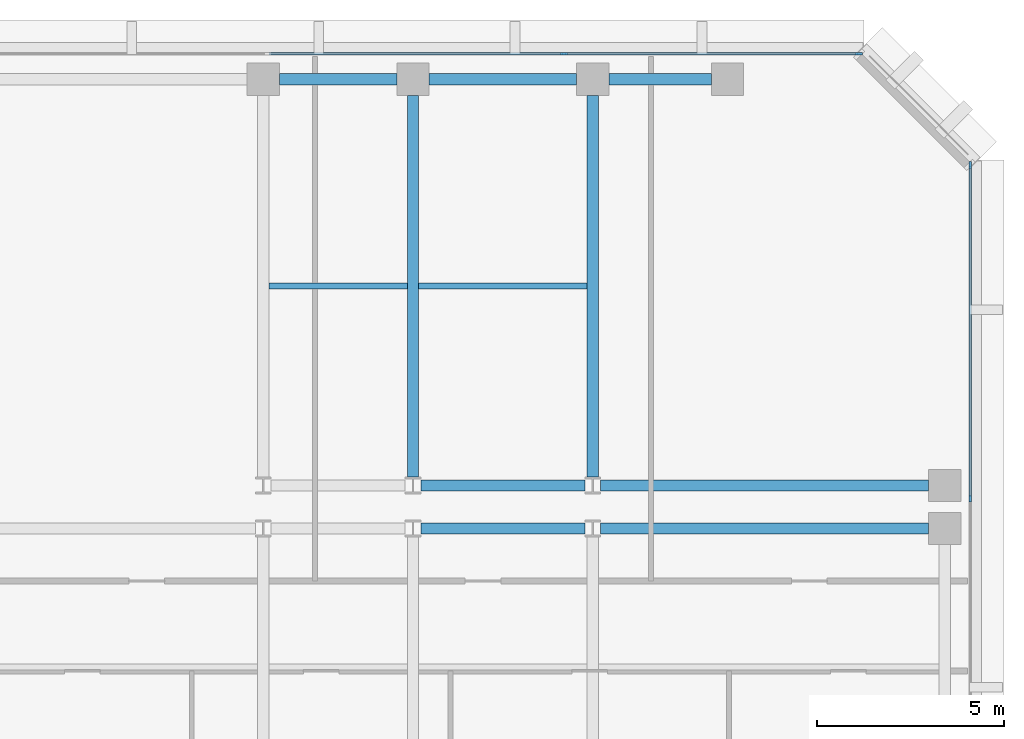
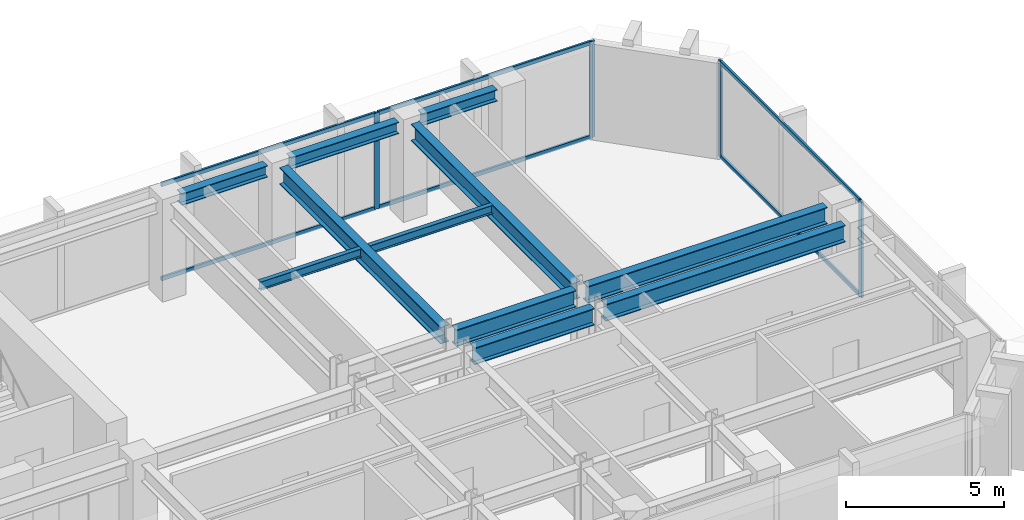
# One storey, part 5 of 11: 11 beams, 10 members, 2 elements without a shape of their own.
"""IFC4 building model written with IfcOpenShell, lengths in metres."""

from ifc_helpers import new_model, si_unit, direction, frame, origin, origin_2d, place, context, subcontext, project, spatial, rectangle, i_section, extrude, material, layer, layer_set, material_profile, profile_set, type_object, element, aggregate, save


model = new_model("IFC4")

# Units and contexts
model_context = context("Model", 3, precision=1e-05, world=origin(), true_north=direction((0.0, 1.0)))
body_context = subcontext(model_context, "Body", "Model", "MODEL_VIEW")
ifc_project = project(units=[si_unit("LENGTHUNIT", "METRE"), si_unit("AREAUNIT", "SQUARE_METRE"), si_unit("VOLUMEUNIT", "CUBIC_METRE"), si_unit("PLANEANGLEUNIT", "RADIAN"), si_unit("MASSUNIT", "GRAM", prefix="KILO")], contexts=[model_context])

# Site, building, storey
site_placement = place(None, origin())
site = spatial("IfcSite", under=ifc_project, at=site_placement, CompositionType="ELEMENT")
building_placement = place(site_placement, origin())
building = spatial("IfcBuilding", under=site, at=building_placement, Name="Kefirva Bronze Tower", CompositionType="ELEMENT")
storey_placement = place(building_placement, frame((0.0, 0.0, 158.72998046875)))
storey = spatial("IfcBuildingStorey", under=building, at=storey_placement, Name="L38", CompositionType="ELEMENT", Elevation=158.72998046875)

# Curtain wall, members
ifc_material_1 = material(Name="Bronze anodised aluminium", Category="aluminium")
ifc_layer = layer(ifc_material_1, 0.199951171875, Name="Bronze anodised aluminium")
ifc_layer_set = layer_set([ifc_layer], Name="Bronze anodised aluminium")
curtain_wall_type = type_object("IfcCurtainWallType", Name="Unitised Bronze Ribbon Curtain Wall Zone 2", PredefinedType="USERDEFINED", material=ifc_layer_set)
curtain_wall_1_placement = place(storey_placement, origin())
curtain_wall_1 = element("IfcCurtainWall", 1, at=curtain_wall_1_placement, inside=storey, type_object=curtain_wall_type, Name="L38 Curtain Wall 4", ObjectType="UNITISED CURTAIN WALL", PredefinedType="USERDEFINED")
ifc_material_profile_1 = material_profile(ifc_material_1, rectangle(XDim=0.074951171875, YDim=0.179931640625, at=origin_2d()), Name="ALU 75x180")
ifc_profile_set_1 = profile_set([ifc_material_profile_1], Name="Bronze anodised aluminium")
member_type_1 = type_object("IfcMemberType", Name="Bronze Mullion 75x180", PredefinedType="MULLION", material=ifc_profile_set_1)
member_1_placement = place(storey_placement, frame((50.080078125, 34.0, 0.0), z_axis=(0.0, 0.0, 1.0), x_axis=(-1.0, 0.0, 0.0)))
member_1 = element("IfcMember", 2, at=member_1_placement, type_object=member_type_1, Name="CW-02 mullion 2", PredefinedType="MULLION", context=body_context, shape_type="SweptSolid", body=[
    extrude(rectangle(XDim=0.074951171875, YDim=0.179931640625, at=origin_2d()), origin(), (0.0, 0.0, 1.0), 3.7099609375),
])
member_2_placement = place(storey_placement, frame((50.080078125, 42.907470703125, 0.0), z_axis=(0.0, 0.0, 1.0), x_axis=(-1.0, 0.0, 0.0)))
member_2 = element("IfcMember", 3, at=member_2_placement, type_object=member_type_1, Name="CW-02 mullion 3", PredefinedType="MULLION", context=body_context, shape_type="SweptSolid", body=[
    extrude(rectangle(XDim=0.074951171875, YDim=0.179931640625, at=origin_2d()), origin(), (0.0, 0.0, 1.0), 3.7099609375),
])

curtain_wall_2_placement = place(storey_placement, origin())
curtain_wall_2 = element("IfcCurtainWall", 4, at=curtain_wall_2_placement, inside=storey, type_object=curtain_wall_type, Name="L38 Curtain Wall 5", ObjectType="UNITISED CURTAIN WALL", PredefinedType="USERDEFINED")
member_3_placement = place(storey_placement, frame((47.107421875, 45.8798828125, 0.0), z_axis=(0.0, 0.0, 1.0), x_axis=(0.0, -1.0, 0.0)))
member_3 = element("IfcMember", 5, at=member_3_placement, type_object=member_type_1, Name="CW-02 mullion 1", PredefinedType="MULLION", context=body_context, shape_type="SweptSolid", body=[
    extrude(rectangle(XDim=0.074951171875, YDim=0.179931640625, at=origin_2d()), origin(), (0.0, 0.0, 1.0), 3.7099609375),
])
member_4_placement = place(storey_placement, frame((39.231689453125, 45.8798828125, 0.0), z_axis=(0.0, 0.0, 1.0), x_axis=(0.0, -1.0, 0.0)))
member_4 = element("IfcMember", 6, at=member_4_placement, type_object=member_type_1, Name="CW-02 mullion 2", PredefinedType="MULLION", context=body_context, shape_type="SweptSolid", body=[
    extrude(rectangle(XDim=0.074951171875, YDim=0.179931640625, at=origin_2d()), origin(), (0.0, 0.0, 1.0), 3.7099609375),
])

# Member
ifc_material_profile_2 = material_profile(ifc_material_1, rectangle(XDim=0.074951171875, YDim=0.14990234375, at=origin_2d()), Name="ALU 75x150")
ifc_profile_set_2 = profile_set([ifc_material_profile_2], Name="Bronze anodised aluminium")
member_type_2 = type_object("IfcMemberType", Name="Bronze Transom 75x150", PredefinedType="USERDEFINED", material=ifc_profile_set_2)
member_5_placement = place(storey_placement, frame((50.080078125, 34.03759765625, 0.03759765625), z_axis=(0.0, 1.0, 0.0), x_axis=(-1.0, 0.0, 0.0)))
member_5 = element("IfcMember", 7, at=member_5_placement, type_object=member_type_2, Name="CW-02 transom 2.1", ObjectType="TRANSOM", PredefinedType="USERDEFINED", context=body_context, shape_type="SweptSolid", body=[
    extrude(rectangle(XDim=0.074951171875, YDim=0.14990234375, at=origin_2d()), origin(), (0.0, 0.0, 1.0), 8.83251953125),
])

member_6_placement = place(storey_placement, frame((50.080078125, 34.03759765625, 3.672607421875), z_axis=(0.0, 1.0, 0.0), x_axis=(-1.0, 0.0, 0.0)))
member_6 = element("IfcMember", 8, at=member_6_placement, type_object=member_type_2, Name="CW-02 transom 2.2", ObjectType="TRANSOM", PredefinedType="USERDEFINED", context=body_context, shape_type="SweptSolid", body=[
    extrude(rectangle(XDim=0.074951171875, YDim=0.14990234375, at=origin_2d()), origin(), (0.0, 0.0, 1.0), 8.83251953125),
])

aggregate(curtain_wall_1, [member_1, member_2, member_5, member_6])

member_7_placement = place(storey_placement, frame((47.070068359375, 45.8798828125, 0.03759765625), z_axis=(-1.0, 0.0, 0.0), x_axis=(0.0, -1.0, 0.0)))
member_7 = element("IfcMember", 9, at=member_7_placement, type_object=member_type_2, Name="CW-02 transom 1.1", ObjectType="TRANSOM", PredefinedType="USERDEFINED", context=body_context, shape_type="SweptSolid", body=[
    extrude(rectangle(XDim=0.074951171875, YDim=0.14990234375, at=origin_2d()), origin(), (0.0, 0.0, 1.0), 7.80078125),
])

member_8_placement = place(storey_placement, frame((47.070068359375, 45.8798828125, 3.672607421875), z_axis=(-1.0, 0.0, 0.0), x_axis=(0.0, -1.0, 0.0)))
member_8 = element("IfcMember", 10, at=member_8_placement, type_object=member_type_2, Name="CW-02 transom 1.2", ObjectType="TRANSOM", PredefinedType="USERDEFINED", context=body_context, shape_type="SweptSolid", body=[
    extrude(rectangle(XDim=0.074951171875, YDim=0.14990234375, at=origin_2d()), origin(), (0.0, 0.0, 1.0), 7.80078125),
])

member_9_placement = place(storey_placement, frame((39.194091796875, 45.8798828125, 0.03759765625), z_axis=(-1.0, 0.0, 0.0), x_axis=(0.0, -1.0, 0.0)))
member_9 = element("IfcMember", 11, at=member_9_placement, type_object=member_type_2, Name="CW-02 transom 2.1", ObjectType="TRANSOM", PredefinedType="USERDEFINED", context=body_context, shape_type="SweptSolid", body=[
    extrude(rectangle(XDim=0.074951171875, YDim=0.14990234375, at=origin_2d()), origin(), (0.0, 0.0, 1.0), 7.83837890625),
])

member_10_placement = place(storey_placement, frame((39.194091796875, 45.8798828125, 3.672607421875), z_axis=(-1.0, 0.0, 0.0), x_axis=(0.0, -1.0, 0.0)))
member_10 = element("IfcMember", 12, at=member_10_placement, type_object=member_type_2, Name="CW-02 transom 2.2", ObjectType="TRANSOM", PredefinedType="USERDEFINED", context=body_context, shape_type="SweptSolid", body=[
    extrude(rectangle(XDim=0.074951171875, YDim=0.14990234375, at=origin_2d()), origin(), (0.0, 0.0, 1.0), 7.83837890625),
])

aggregate(curtain_wall_2, [member_3, member_4, member_7, member_8, member_9, member_10])

# Beams
ifc_material_2 = material(Name="Steel S355", Category="steel")
ifc_material_profile_3 = material_profile(ifc_material_2, i_section(OverallWidth=0.159912109375, OverallDepth=0.330078125, WebThickness=0.007568359375, FlangeThickness=0.011474609375, at=origin_2d()), Name="IPE 330")
ifc_profile_set_3 = profile_set([ifc_material_profile_3], Name="Steel S355")
beam_type_1 = type_object("IfcBeamType", Name="Steel Floor Joist IPE 330", PredefinedType="JOIST", material=ifc_profile_set_3)
beam_1_placement = place(storey_placement, frame((31.35009765625, 39.673583984375, 3.544921875), z_axis=(1.0, 0.0, 0.0), x_axis=(0.0, 1.0, 0.0)))
element("IfcBeam", 13, at=beam_1_placement, inside=storey, type_object=beam_type_1, Name="L38 JST-L38-31-396", PredefinedType="JOIST", context=body_context, shape_type="SweptSolid", body=[
    extrude(i_section(OverallWidth=0.159912109375, OverallDepth=0.330078125, WebThickness=0.007568359375, FlangeThickness=0.011474609375, at=origin_2d()), origin(), (0.0, 0.0, 1.0), 3.699951171875),
])
beam_2_placement = place(storey_placement, frame((35.35009765625, 39.673583984375, 3.544921875), z_axis=(1.0, 0.0, 0.0), x_axis=(0.0, 1.0, 0.0)))
element("IfcBeam", 14, at=beam_2_placement, inside=storey, type_object=beam_type_1, Name="L38 JST-L38-35-396", PredefinedType="JOIST", context=body_context, shape_type="SweptSolid", body=[
    extrude(i_section(OverallWidth=0.159912109375, OverallDepth=0.330078125, WebThickness=0.007568359375, FlangeThickness=0.011474609375, at=origin_2d()), origin(), (0.0, 0.0, 1.0), 4.5),
])
ifc_material_profile_4 = material_profile(ifc_material_2, i_section(OverallWidth=0.300048828125, OverallDepth=0.64990234375, WebThickness=0.01611328125, FlangeThickness=0.031005859375, at=origin_2d()), Name="HEB 650")
ifc_profile_set_4 = profile_set([ifc_material_profile_4], Name="Steel S355")
beam_type_2 = type_object("IfcBeamType", Name="Steel Girder HEB 650", PredefinedType="USERDEFINED", material=ifc_profile_set_4)
beam_3_placement = place(storey_placement, frame((35.408935546875, 33.199951171875, 3.385009765625), z_axis=(1.0, 0.0, 0.0), x_axis=(0.0, 1.0, 0.0)))
element("IfcBeam", 15, at=beam_3_placement, inside=storey, type_object=beam_type_2, Name="L38 BM-L38-EW-35-332", ObjectType="GIRDER", PredefinedType="USERDEFINED", context=body_context, shape_type="SweptSolid", body=[
    extrude(i_section(OverallWidth=0.300048828125, OverallDepth=0.64990234375, WebThickness=0.01611328125, FlangeThickness=0.031005859375, at=origin_2d()), origin(), (0.0, 0.0, 1.0), 4.382080078125),
])
beam_4_placement = place(storey_placement, frame((40.208984375, 33.199951171875, 3.385009765625), z_axis=(1.0, 0.0, 0.0), x_axis=(0.0, 1.0, 0.0)))
element("IfcBeam", 16, at=beam_4_placement, inside=storey, type_object=beam_type_2, Name="L38 BM-L38-EW-40-332", ObjectType="GIRDER", PredefinedType="USERDEFINED", context=body_context, shape_type="SweptSolid", body=[
    extrude(i_section(OverallWidth=0.300048828125, OverallDepth=0.64990234375, WebThickness=0.01611328125, FlangeThickness=0.031005859375, at=origin_2d()), origin(), (0.0, 0.0, 1.0), 8.760986328125),
])
beam_5_placement = place(storey_placement, frame((35.408935546875, 34.35009765625, 3.385009765625), z_axis=(1.0, 0.0, 0.0), x_axis=(0.0, 1.0, 0.0)))
element("IfcBeam", 17, at=beam_5_placement, inside=storey, type_object=beam_type_2, Name="L38 BM-L38-EW-35-344", ObjectType="GIRDER", PredefinedType="USERDEFINED", context=body_context, shape_type="SweptSolid", body=[
    extrude(i_section(OverallWidth=0.300048828125, OverallDepth=0.64990234375, WebThickness=0.01611328125, FlangeThickness=0.031005859375, at=origin_2d()), origin(), (0.0, 0.0, 1.0), 4.382080078125),
])
beam_6_placement = place(storey_placement, frame((40.208984375, 34.35009765625, 3.385009765625), z_axis=(1.0, 0.0, 0.0), x_axis=(0.0, 1.0, 0.0)))
element("IfcBeam", 18, at=beam_6_placement, inside=storey, type_object=beam_type_2, Name="L38 BM-L38-EW-40-344", ObjectType="GIRDER", PredefinedType="USERDEFINED", context=body_context, shape_type="SweptSolid", body=[
    extrude(i_section(OverallWidth=0.300048828125, OverallDepth=0.64990234375, WebThickness=0.01611328125, FlangeThickness=0.031005859375, at=origin_2d()), origin(), (0.0, 0.0, 1.0), 8.760986328125),
])
for number, where, z_axis, x_axis, name in (
    (19, (35.199951171875, 34.577392578125, 3.385009765625), (0.0, 1.0, 0.0), (-1.0, 0.0, 0.0), "L38 BM-L38-NS-352-34"),
    (20, (40.0, 34.577392578125, 3.385009765625), (0.0, 1.0, 0.0), (-1.0, 0.0, 0.0), "L38 BM-L38-NS-400-34"),
):
    element("IfcBeam", number, at=place(storey_placement, frame(where, z_axis=z_axis, x_axis=x_axis)), inside=storey, type_object=beam_type_2, Name=name, ObjectType="GIRDER", PredefinedType="USERDEFINED", context=body_context, shape_type="SweptSolid", body=[
        extrude(i_section(OverallWidth=0.300048828125, OverallDepth=0.64990234375, WebThickness=0.01611328125, FlangeThickness=0.031005859375, at=origin_2d()), origin(), (0.0, 0.0, 1.0), 10.192626953125),
    ])
ifc_material_profile_5 = material_profile(ifc_material_2, i_section(OverallWidth=0.300048828125, OverallDepth=0.449951171875, WebThickness=0.013916015625, FlangeThickness=0.02587890625, at=origin_2d()), Name="HEB 450")
ifc_profile_set_5 = profile_set([ifc_material_profile_5], Name="Steel S355")
beam_type_3 = type_object("IfcBeamType", Name="Steel Spandrel HEB 450 Ext", PredefinedType="SPANDREL", material=ifc_profile_set_5)
beam_7_placement = place(storey_placement, frame((31.6298828125, 45.199951171875, 3.485107421875), z_axis=(1.0, 0.0, 0.0), x_axis=(0.0, 1.0, 0.0)))
element("IfcBeam", 21, at=beam_7_placement, inside=storey, type_object=beam_type_3, Name="L38 BM-L38-EW-31-452", PredefinedType="SPANDREL", context=body_context, shape_type="SweptSolid", body=[
    extrude(i_section(OverallWidth=0.300048828125, OverallDepth=0.449951171875, WebThickness=0.013916015625, FlangeThickness=0.02587890625, at=origin_2d()), origin(), (0.0, 0.0, 1.0), 3.14013671875),
])
beam_8_placement = place(storey_placement, frame((35.6298828125, 45.199951171875, 3.485107421875), z_axis=(1.0, 0.0, 0.0), x_axis=(0.0, 1.0, 0.0)))
element("IfcBeam", 22, at=beam_8_placement, inside=storey, type_object=beam_type_3, Name="L38 BM-L38-EW-35-452", PredefinedType="SPANDREL", context=body_context, shape_type="SweptSolid", body=[
    extrude(i_section(OverallWidth=0.300048828125, OverallDepth=0.449951171875, WebThickness=0.013916015625, FlangeThickness=0.02587890625, at=origin_2d()), origin(), (0.0, 0.0, 1.0), 3.940185546875),
])
beam_9_placement = place(storey_placement, frame((40.429931640625, 45.199951171875, 3.485107421875), z_axis=(1.0, 0.0, 0.0), x_axis=(0.0, 1.0, 0.0)))
element("IfcBeam", 23, at=beam_9_placement, inside=storey, type_object=beam_type_3, Name="L38 BM-L38-EW-40-452", PredefinedType="SPANDREL", context=body_context, shape_type="SweptSolid", body=[
    extrude(i_section(OverallWidth=0.300048828125, OverallDepth=0.449951171875, WebThickness=0.013916015625, FlangeThickness=0.02587890625, at=origin_2d()), origin(), (0.0, 0.0, 1.0), 2.739990234375),
])

save(model, "model.ifc")
